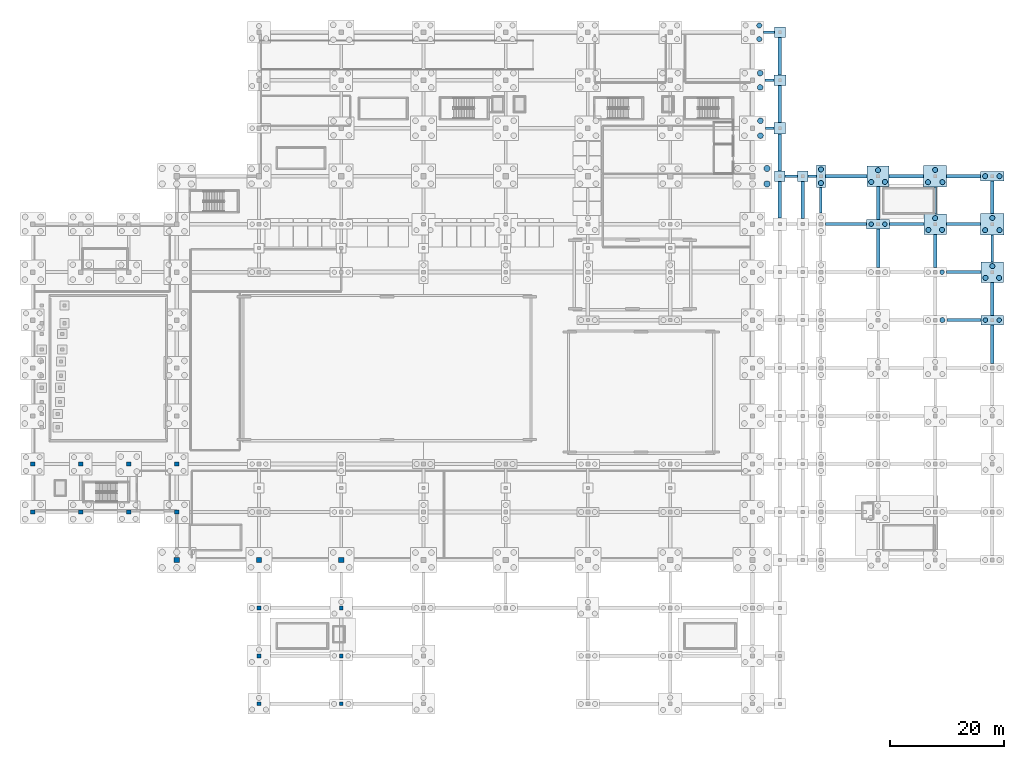
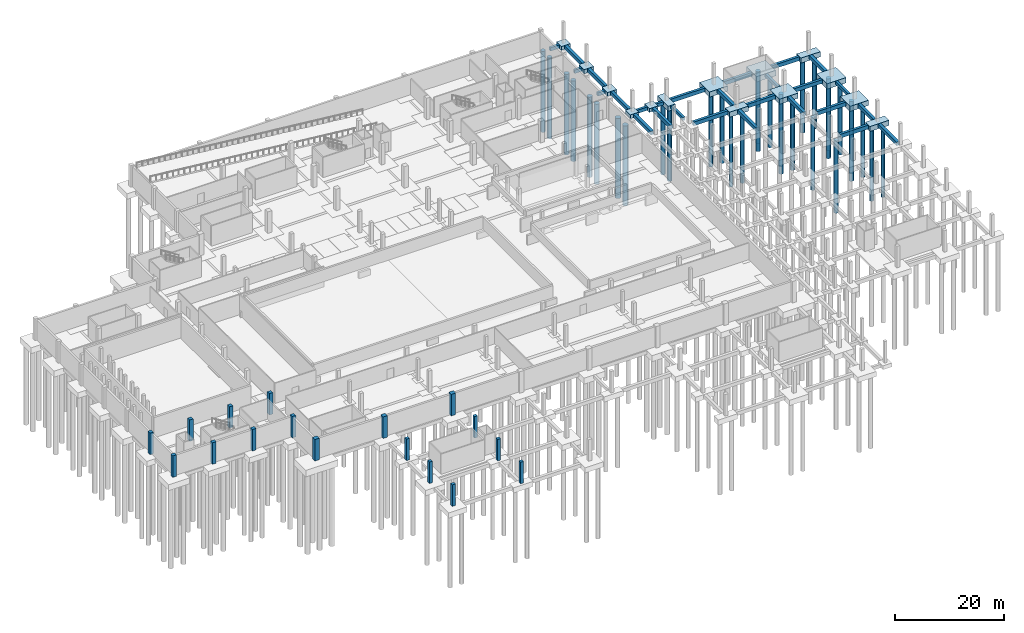
# One storey, part 9 of 26: 41 footings, 33 piles, 17 columns.
"""IFC4 building model written with IfcOpenShell, lengths in metres."""

from ifc_helpers import new_model, si_unit, direction, frame, origin, origin_2d, place, context, subcontext, project, spatial, rectangle, circle, extrude, material, material_profile, profile_set, type_object, element, save


model = new_model("IFC4")

# Units and contexts
model_context = context("Model", 3, precision=1e-05, world=origin(), true_north=direction((0.0, 1.0)))
body_context = subcontext(model_context, "Body", "Model", "MODEL_VIEW")
ifc_project = project(units=[si_unit("LENGTHUNIT", "METRE"), si_unit("AREAUNIT", "SQUARE_METRE"), si_unit("VOLUMEUNIT", "CUBIC_METRE"), si_unit("PLANEANGLEUNIT", "RADIAN"), si_unit("MASSUNIT", "GRAM", prefix="KILO"), si_unit("THERMODYNAMICTEMPERATUREUNIT", "KELVIN")], contexts=[model_context])

# Site, building, storey
site_placement = place(None, origin())
site = spatial("IfcSite", under=ifc_project, at=site_placement, CompositionType="ELEMENT")
building_placement = place(site_placement, origin())
building = spatial("IfcBuilding", under=site, at=building_placement, Name="Nduvali Passage Aquatics Centre", CompositionType="ELEMENT")
storey_placement = place(building_placement, frame((0.0, 0.0, -4.800048828125)))
storey = spatial("IfcBuildingStorey", under=building, at=storey_placement, Name="B01", CompositionType="ELEMENT", Elevation=-4.800048828125)

# Footings
ifc_material = material(Name="Concrete C40/50", Category="concrete")
footing_type_1 = type_object("IfcFootingType", Name="STR-GB-1", PredefinedType="FOOTING_BEAM", material=ifc_material)
footing_1_placement = place(storey_placement, frame((130.800048828125, 88.28759765625, -0.7998046875), z_axis=(0.0, 0.0, 1.0), x_axis=(0.0, 1.0, 0.0)))
element("IfcFooting", 1, at=footing_1_placement, inside=storey, type_object=footing_type_1, Name="Ground Beam Y-0261", PredefinedType="FOOTING_BEAM", context=body_context, shape_type="SweptSolid", body=[
    extrude(rectangle(XDim=6.425048828125, YDim=0.60009765625, at=origin_2d()), origin(), (0.0, 0.0, 1.0), 0.800048828125),
])
footing_2_placement = place(storey_placement, frame((130.800048828125, 96.550048828125, -0.7998046875), z_axis=(0.0, 0.0, 1.0), x_axis=(0.0, 1.0, 0.0)))
element("IfcFooting", 2, at=footing_2_placement, inside=storey, type_object=footing_type_1, Name="Ground Beam Y-0262", PredefinedType="FOOTING_BEAM", context=body_context, shape_type="SweptSolid", body=[
    extrude(rectangle(XDim=6.5, YDim=0.60009765625, at=origin_2d()), origin(), (0.0, 0.0, 1.0), 0.800048828125),
])
footing_3_placement = place(storey_placement, frame((130.800048828125, 105.02490234375, -0.7998046875), z_axis=(0.0, 0.0, 1.0), x_axis=(0.0, 1.0, 0.0)))
element("IfcFooting", 3, at=footing_3_placement, inside=storey, type_object=footing_type_1, Name="Ground Beam Y-0263", PredefinedType="FOOTING_BEAM", context=body_context, shape_type="SweptSolid", body=[
    extrude(rectangle(XDim=6.449951171875, YDim=0.60009765625, at=origin_2d()), origin(), (0.0, 0.0, 1.0), 0.800048828125),
])
footing_4_placement = place(storey_placement, frame((130.800048828125, 113.425048828125, -0.7998046875), z_axis=(0.0, 0.0, 1.0), x_axis=(0.0, 1.0, 0.0)))
element("IfcFooting", 4, at=footing_4_placement, inside=storey, type_object=footing_type_1, Name="Ground Beam Y-0264", PredefinedType="FOOTING_BEAM", context=body_context, shape_type="SweptSolid", body=[
    extrude(rectangle(XDim=6.550048828125, YDim=0.60009765625, at=origin_2d()), origin(), (0.0, 0.0, 1.0), 0.800048828125),
])
footing_5_placement = place(storey_placement, frame((134.800048828125, 88.25, -0.7998046875), z_axis=(0.0, 0.0, 1.0), x_axis=(0.0, 1.0, 0.0)))
element("IfcFooting", 5, at=footing_5_placement, inside=storey, type_object=footing_type_1, Name="Ground Beam Y-0272", PredefinedType="FOOTING_BEAM", context=body_context, shape_type="SweptSolid", body=[
    extrude(rectangle(XDim=6.5, YDim=0.60009765625, at=origin_2d()), origin(), (0.0, 0.0, 1.0), 0.800048828125),
])
footing_6_placement = place(storey_placement, frame((148.0, 79.78759765625, -0.7998046875), z_axis=(0.0, 0.0, 1.0), x_axis=(0.0, 1.0, 0.0)))
element("IfcFooting", 6, at=footing_6_placement, inside=storey, type_object=footing_type_1, Name="Ground Beam Y-0287", PredefinedType="FOOTING_BEAM", context=body_context, shape_type="SweptSolid", body=[
    extrude(rectangle(XDim=6.77490234375, YDim=0.60009765625, at=origin_2d()), origin(), (0.0, 0.0, 1.0), 0.800048828125),
])
for number, where, z_axis, x_axis, name in (
    (7, (148.0, 87.71240234375, -0.7998046875), (0.0, 0.0, 1.0), (0.0, 1.0, 0.0), "Ground Beam Y-0288"),
    (8, (158.0, 79.3125, -0.7998046875), (0.0, 0.0, 1.0), (0.0, 1.0, 0.0), "Ground Beam Y-0295"),
):
    element("IfcFooting", number, at=place(storey_placement, frame(where, z_axis=z_axis, x_axis=x_axis)), inside=storey, type_object=footing_type_1, Name=name, PredefinedType="FOOTING_BEAM", context=body_context, shape_type="SweptSolid", body=[
        extrude(rectangle(XDim=5.77490234375, YDim=0.60009765625, at=origin_2d()), origin(), (0.0, 0.0, 1.0), 0.800048828125),
    ])
footing_7_placement = place(storey_placement, frame((168.0, 62.987548828125, -0.7998046875), z_axis=(0.0, 0.0, 1.0), x_axis=(0.0, 1.0, 0.0)))
element("IfcFooting", 9, at=footing_7_placement, inside=storey, type_object=footing_type_1, Name="Ground Beam Y-0301", PredefinedType="FOOTING_BEAM", context=body_context, shape_type="SweptSolid", body=[
    extrude(rectangle(XDim=6.77490234375, YDim=0.60009765625, at=origin_2d()), origin(), (0.0, 0.0, 1.0), 0.800048828125),
])
footing_8_placement = place(storey_placement, frame((168.0, 70.91259765625, -0.7998046875), z_axis=(0.0, 0.0, 1.0), x_axis=(0.0, 1.0, 0.0)))
element("IfcFooting", 10, at=footing_8_placement, inside=storey, type_object=footing_type_1, Name="Ground Beam Y-0302", PredefinedType="FOOTING_BEAM", context=body_context, shape_type="SweptSolid", body=[
    extrude(rectangle(XDim=5.77490234375, YDim=0.60009765625, at=origin_2d()), origin(), (0.0, 0.0, 1.0), 0.800048828125),
])
footing_9_placement = place(storey_placement, frame((168.0, 88.737548828125, -0.7998046875), z_axis=(0.0, 0.0, 1.0), x_axis=(0.0, 1.0, 0.0)))
element("IfcFooting", 11, at=footing_9_placement, inside=storey, type_object=footing_type_1, Name="Ground Beam Y-0304", PredefinedType="FOOTING_BEAM", context=body_context, shape_type="SweptSolid", body=[
    extrude(rectangle(XDim=5.72509765625, YDim=0.60009765625, at=origin_2d()), origin(), (0.0, 0.0, 1.0), 0.800048828125),
])
footing_type_2 = type_object("IfcFootingType", Name="STR-GB-2", PredefinedType="FOOTING_BEAM", material=ifc_material)
footing_10_placement = place(storey_placement, frame((132.800048828125, 92.39990234375, -0.75), z_axis=(0.0, 0.0, 1.0), x_axis=(1.0, 0.0, 0.0)))
element("IfcFooting", 12, at=footing_10_placement, inside=storey, type_object=footing_type_2, Name="Ground Beam X-0121", PredefinedType="FOOTING_BEAM", context=body_context, shape_type="SweptSolid", body=[
    extrude(rectangle(XDim=2.199951171875, YDim=0.5, at=origin_2d()), origin(), (0.0, 0.0, 1.0), 0.75),
])
footing_11_placement = place(storey_placement, frame((136.46240234375, 92.39990234375, -0.75), z_axis=(0.0, 0.0, 1.0), x_axis=(1.0, 0.0, 0.0)))
element("IfcFooting", 13, at=footing_11_placement, inside=storey, type_object=footing_type_2, Name="Ground Beam X-0122", PredefinedType="FOOTING_BEAM", context=body_context, shape_type="SweptSolid", body=[
    extrude(rectangle(XDim=1.52490234375, YDim=0.5, at=origin_2d()), origin(), (0.0, 0.0, 1.0), 0.75),
])
for number, where, z_axis, x_axis, name in (
    (14, (129.02490234375, 100.800048828125, -0.75), (0.0, 0.0, 1.0), (1.0, 0.0, 0.0), "Ground Beam X-0132"),
    (15, (128.97509765625, 109.199951171875, -0.75), (0.0, 0.0, 1.0), (1.0, 0.0, 0.0), "Ground Beam X-0139"),
):
    element("IfcFooting", number, at=place(storey_placement, frame(where, z_axis=z_axis, x_axis=x_axis)), inside=storey, type_object=footing_type_2, Name=name, PredefinedType="FOOTING_BEAM", context=body_context, shape_type="SweptSolid", body=[
        extrude(rectangle(XDim=1.550048828125, YDim=0.5, at=origin_2d()), origin(), (0.0, 0.0, 1.0), 0.75),
    ])
footing_12_placement = place(storey_placement, frame((128.89990234375, 117.60009765625, -0.75), z_axis=(0.0, 0.0, 1.0), x_axis=(1.0, 0.0, 0.0)))
element("IfcFooting", 16, at=footing_12_placement, inside=storey, type_object=footing_type_2, Name="Ground Beam X-0146", PredefinedType="FOOTING_BEAM", context=body_context, shape_type="SweptSolid", body=[
    extrude(rectangle(XDim=1.89990234375, YDim=0.5, at=origin_2d()), origin(), (0.0, 0.0, 1.0), 0.75),
])
footing_type_3 = type_object("IfcFootingType", Name="STR-GB-4", PredefinedType="FOOTING_BEAM", material=ifc_material)
footing_13_placement = place(storey_placement, frame((163.02490234375, 67.199951171875, -0.85009765625), z_axis=(0.0, 0.0, 1.0), x_axis=(1.0, 0.0, 0.0)))
element("IfcFooting", 17, at=footing_13_placement, inside=storey, type_object=footing_type_3, Name="Ground Beam X-0081", PredefinedType="FOOTING_BEAM", context=body_context, shape_type="SweptSolid", body=[
    extrude(rectangle(XDim=5.949951171875, YDim=0.550048828125, at=origin_2d()), origin(), (0.0, 0.0, 1.0), 0.85009765625),
])
footing_14_placement = place(storey_placement, frame((163.02490234375, 75.60009765625, -0.85009765625), z_axis=(0.0, 0.0, 1.0), x_axis=(1.0, 0.0, 0.0)))
element("IfcFooting", 18, at=footing_14_placement, inside=storey, type_object=footing_type_3, Name="Ground Beam X-0097", PredefinedType="FOOTING_BEAM", context=body_context, shape_type="SweptSolid", body=[
    extrude(rectangle(XDim=6.050048828125, YDim=0.550048828125, at=origin_2d()), origin(), (0.0, 0.0, 1.0), 0.85009765625),
])
footing_15_placement = place(storey_placement, frame((142.387451171875, 84.0, -0.85009765625), z_axis=(0.0, 0.0, 1.0), x_axis=(1.0, 0.0, 0.0)))
element("IfcFooting", 19, at=footing_15_placement, inside=storey, type_object=footing_type_3, Name="Ground Beam X-0111", PredefinedType="FOOTING_BEAM", context=body_context, shape_type="SweptSolid", body=[
    extrude(rectangle(XDim=7.22509765625, YDim=0.550048828125, at=origin_2d()), origin(), (0.0, 0.0, 1.0), 0.85009765625),
])
footing_16_placement = place(storey_placement, frame((153.02490234375, 84.0, -0.85009765625), z_axis=(0.0, 0.0, 1.0), x_axis=(1.0, 0.0, 0.0)))
element("IfcFooting", 20, at=footing_16_placement, inside=storey, type_object=footing_type_3, Name="Ground Beam X-0112", PredefinedType="FOOTING_BEAM", context=body_context, shape_type="SweptSolid", body=[
    extrude(rectangle(XDim=6.050048828125, YDim=0.550048828125, at=origin_2d()), origin(), (0.0, 0.0, 1.0), 0.85009765625),
])
footing_17_placement = place(storey_placement, frame((162.96240234375, 84.0, -0.85009765625), z_axis=(0.0, 0.0, 1.0), x_axis=(1.0, 0.0, 0.0)))
element("IfcFooting", 21, at=footing_17_placement, inside=storey, type_object=footing_type_3, Name="Ground Beam X-0113", PredefinedType="FOOTING_BEAM", context=body_context, shape_type="SweptSolid", body=[
    extrude(rectangle(XDim=6.02490234375, YDim=0.550048828125, at=origin_2d()), origin(), (0.0, 0.0, 1.0), 0.85009765625),
])
footing_18_placement = place(storey_placement, frame((142.41259765625, 92.39990234375, -0.85009765625), z_axis=(0.0, 0.0, 1.0), x_axis=(1.0, 0.0, 0.0)))
element("IfcFooting", 22, at=footing_18_placement, inside=storey, type_object=footing_type_3, Name="Ground Beam X-0123", PredefinedType="FOOTING_BEAM", context=body_context, shape_type="SweptSolid", body=[
    extrude(rectangle(XDim=7.27490234375, YDim=0.550048828125, at=origin_2d()), origin(), (0.0, 0.0, 1.0), 0.85009765625),
])
footing_19_placement = place(storey_placement, frame((152.96240234375, 92.39990234375, -0.85009765625), z_axis=(0.0, 0.0, 1.0), x_axis=(1.0, 0.0, 0.0)))
element("IfcFooting", 23, at=footing_19_placement, inside=storey, type_object=footing_type_3, Name="Ground Beam X-0124", PredefinedType="FOOTING_BEAM", context=body_context, shape_type="SweptSolid", body=[
    extrude(rectangle(XDim=6.02490234375, YDim=0.550048828125, at=origin_2d()), origin(), (0.0, 0.0, 1.0), 0.85009765625),
])
footing_20_placement = place(storey_placement, frame((162.987548828125, 92.39990234375, -0.85009765625), z_axis=(0.0, 0.0, 1.0), x_axis=(1.0, 0.0, 0.0)))
element("IfcFooting", 24, at=footing_20_placement, inside=storey, type_object=footing_type_3, Name="Ground Beam X-0125", PredefinedType="FOOTING_BEAM", context=body_context, shape_type="SweptSolid", body=[
    extrude(rectangle(XDim=5.925048828125, YDim=0.550048828125, at=origin_2d()), origin(), (0.0, 0.0, 1.0), 0.85009765625),
])
footing_type_4 = type_object("IfcFootingType", Name="STR-GB-6", PredefinedType="FOOTING_BEAM", material=ifc_material)
footing_21_placement = place(storey_placement, frame((138.0, 88.199951171875, -0.69970703125), z_axis=(0.0, 0.0, 1.0), x_axis=(0.0, 1.0, 0.0)))
element("IfcFooting", 25, at=footing_21_placement, inside=storey, type_object=footing_type_4, Name="Ground Beam Y-0280", PredefinedType="FOOTING_BEAM", context=body_context, shape_type="SweptSolid", body=[
    extrude(rectangle(XDim=4.449951171875, YDim=0.449951171875, at=origin_2d()), origin(), (0.0, 0.0, 1.0), 0.699951171875),
])
for number, where, z_axis, x_axis, name in (
    (26, (158.0, 88.16259765625, -0.69970703125), (0.0, 0.0, 1.0), (0.0, 1.0, 0.0), "Ground Beam Y-0296"),
    (27, (168.0, 79.762451171875, -0.69970703125), (0.0, 0.0, 1.0), (0.0, 1.0, 0.0), "Ground Beam Y-0303"),
):
    element("IfcFooting", number, at=place(storey_placement, frame(where, z_axis=z_axis, x_axis=x_axis)), inside=storey, type_object=footing_type_4, Name=name, PredefinedType="FOOTING_BEAM", context=body_context, shape_type="SweptSolid", body=[
        extrude(rectangle(XDim=4.72509765625, YDim=0.449951171875, at=origin_2d()), origin(), (0.0, 0.0, 1.0), 0.699951171875),
    ])
footing_type_5 = type_object("IfcFootingType", Name="STR-PC-2B", PredefinedType="PILE_CAP", material=ifc_material)
footing_22_placement = place(storey_placement, frame((138.0, 92.39990234375, -1.10009765625), z_axis=(0.0, 0.0, 1.0), x_axis=(1.0, 0.0, 0.0)))
element("IfcFooting", 28, at=footing_22_placement, inside=storey, type_object=footing_type_5, Name="Pile Cap PC2B at (138.0, 92.4)", PredefinedType="PILE_CAP", context=body_context, shape_type="SweptSolid", body=[
    extrude(rectangle(XDim=1.550048828125, YDim=3.949951171875, at=origin_2d()), origin(), (0.0, 0.0, 1.0), 1.10009765625),
])
footing_type_6 = type_object("IfcFootingType", Name="STR-PC-2C", PredefinedType="PILE_CAP", material=ifc_material)
footing_23_placement = place(storey_placement, frame((168.0, 92.39990234375, -1.14990234375), z_axis=(0.0, 0.0, 1.0), x_axis=(1.0, 0.0, 0.0)))
element("IfcFooting", 29, at=footing_23_placement, inside=storey, type_object=footing_type_6, Name="Pile Cap PC2C at (168.0, 92.4)", PredefinedType="PILE_CAP", context=body_context, shape_type="SweptSolid", body=[
    extrude(rectangle(XDim=4.10009765625, YDim=1.60009765625, at=origin_2d()), origin(), (0.0, 0.0, 1.0), 1.14990234375),
])
footing_type_7 = type_object("IfcFootingType", Name="STR-PC-2D", PredefinedType="PILE_CAP", material=ifc_material)
for number, where, z_axis, x_axis, name in (
    (30, (148.0, 84.0, -1.1201171875), (0.0, 0.0, 1.0), (1.0, 0.0, 0.0), "Pile Cap PC2D at (148.0, 84.0)"),
    (31, (168.0, 67.199951171875, -1.1201171875), (0.0, 0.0, 1.0), (1.0, 0.0, 0.0), "Pile Cap PC2D at (168.0, 67.2)"),
):
    element("IfcFooting", number, at=place(storey_placement, frame(where, z_axis=z_axis, x_axis=x_axis)), inside=storey, type_object=footing_type_7, Name=name, PredefinedType="PILE_CAP", context=body_context, shape_type="SweptSolid", body=[
        extrude(rectangle(XDim=4.0, YDim=1.64990234375, at=origin_2d()), origin(), (0.0, 0.0, 1.0), 1.1201171875),
    ])
footing_type_8 = type_object("IfcFootingType", Name="STR-PC-3A", PredefinedType="PILE_CAP", material=ifc_material)
for number, where, z_axis, x_axis, name in (
    (32, (148.0, 92.39990234375, -1.14990234375), (0.0, 0.0, 1.0), (1.0, 0.0, 0.0), "Pile Cap PC3A at (148.0, 92.4)"),
    (33, (158.0, 84.0, -1.14990234375), (0.0, 0.0, 1.0), (1.0, 0.0, 0.0), "Pile Cap PC3A at (158.0, 84.0)"),
    (34, (168.0, 75.60009765625, -1.14990234375), (0.0, 0.0, 1.0), (1.0, 0.0, 0.0), "Pile Cap PC3A at (168.0, 75.6)"),
):
    element("IfcFooting", number, at=place(storey_placement, frame(where, z_axis=z_axis, x_axis=x_axis)), inside=storey, type_object=footing_type_8, Name=name, PredefinedType="PILE_CAP", context=body_context, shape_type="SweptSolid", body=[
        extrude(rectangle(XDim=3.89990234375, YDim=3.60009765625, at=origin_2d()), origin(), (0.0, 0.0, 1.0), 1.14990234375),
    ])
footing_type_9 = type_object("IfcFootingType", Name="STR-PC-3B", PredefinedType="PILE_CAP", material=ifc_material)
for number, where, z_axis, x_axis, name in (
    (35, (158.0, 92.39990234375, -1.19970703125), (0.0, 0.0, 1.0), (1.0, 0.0, 0.0), "Pile Cap PC3B at (158.0, 92.4)"),
    (36, (168.0, 84.0, -1.19970703125), (0.0, 0.0, 1.0), (1.0, 0.0, 0.0), "Pile Cap PC3B at (168.0, 84.0)"),
):
    element("IfcFooting", number, at=place(storey_placement, frame(where, z_axis=z_axis, x_axis=x_axis)), inside=storey, type_object=footing_type_9, Name=name, PredefinedType="PILE_CAP", context=body_context, shape_type="SweptSolid", body=[
        extrude(rectangle(XDim=4.050048828125, YDim=3.75, at=origin_2d()), origin(), (0.0, 0.0, 1.0), 1.199951171875),
    ])
footing_type_10 = type_object("IfcFootingType", Name="STR-PF-1", PredefinedType="PAD_FOOTING", material=ifc_material)
for number, where, z_axis, x_axis, name in (
    (37, (130.800048828125, 92.39990234375, -0.85009765625), (0.0, 0.0, 1.0), (1.0, 0.0, 0.0), "Pad Footing PF1 at (130.8, 92.4)"),
    (38, (134.800048828125, 92.39990234375, -0.85009765625), (0.0, 0.0, 1.0), (1.0, 0.0, 0.0), "Pad Footing PF1 at (134.8, 92.4)"),
):
    element("IfcFooting", number, at=place(storey_placement, frame(where, z_axis=z_axis, x_axis=x_axis)), inside=storey, type_object=footing_type_10, Name=name, PredefinedType="PAD_FOOTING", context=body_context, shape_type="SweptSolid", body=[
        extrude(rectangle(XDim=1.800048828125, YDim=1.800048828125, at=origin_2d()), origin(), (0.0, 0.0, 1.0), 0.85009765625),
    ])
footing_type_11 = type_object("IfcFootingType", Name="STR-PF-2", PredefinedType="PAD_FOOTING", material=ifc_material)
footing_24_placement = place(storey_placement, frame((130.800048828125, 100.800048828125, -0.89990234375), z_axis=(0.0, 0.0, 1.0), x_axis=(1.0, 0.0, 0.0)))
element("IfcFooting", 39, at=footing_24_placement, inside=storey, type_object=footing_type_11, Name="Pad Footing PF2 at (130.8, 100.8)", PredefinedType="PAD_FOOTING", context=body_context, shape_type="SweptSolid", body=[
    extrude(rectangle(XDim=2.0, YDim=2.0, at=origin_2d()), origin(), (0.0, 0.0, 1.0), 0.89990234375),
])
footing_type_12 = type_object("IfcFootingType", Name="STR-PF-3", PredefinedType="PAD_FOOTING", material=ifc_material)
footing_25_placement = place(storey_placement, frame((130.800048828125, 109.199951171875, -0.94970703125), z_axis=(0.0, 0.0, 1.0), x_axis=(1.0, 0.0, 0.0)))
element("IfcFooting", 40, at=footing_25_placement, inside=storey, type_object=footing_type_12, Name="Pad Footing PF3 at (130.8, 109.2)", PredefinedType="PAD_FOOTING", context=body_context, shape_type="SweptSolid", body=[
    extrude(rectangle(XDim=2.10009765625, YDim=1.89990234375, at=origin_2d()), origin(), (0.0, 0.0, 1.0), 0.949951171875),
])
footing_type_13 = type_object("IfcFootingType", Name="STR-PF-4", PredefinedType="PAD_FOOTING", material=ifc_material)
footing_26_placement = place(storey_placement, frame((130.800048828125, 117.60009765625, -0.85009765625), z_axis=(0.0, 0.0, 1.0), x_axis=(1.0, 0.0, 0.0)))
element("IfcFooting", 41, at=footing_26_placement, inside=storey, type_object=footing_type_13, Name="Pad Footing PF4 at (130.8, 117.6)", PredefinedType="PAD_FOOTING", context=body_context, shape_type="SweptSolid", body=[
    extrude(rectangle(XDim=1.89990234375, YDim=1.800048828125, at=origin_2d()), origin(), (0.0, 0.0, 1.0), 0.85009765625),
])

# Piles
ifc_material_profile_1 = material_profile(ifc_material, circle(Radius=0.5, at=origin_2d()), Name="PILE D1000")
ifc_profile_set_1 = profile_set([ifc_material_profile_1], Name="Concrete C40/50")
pile_type_1 = type_object("IfcPileType", Name="STR-PILE-D1000", PredefinedType="BORED", material=ifc_profile_set_1)
for number, where, z_axis, x_axis, name in (
    (42, (127.39990234375, 99.5, -1.25), (0.0, 0.0, -1.0), (1.0, 0.0, 0.0), "Bored Pile 140-2"),
    (43, (127.39990234375, 102.10009765625, -1.25), (0.0, 0.0, -1.0), (1.0, 0.0, 0.0), "Bored Pile 140-4"),
):
    element("IfcPile", number, at=place(storey_placement, frame(where, z_axis=z_axis, x_axis=x_axis)), inside=storey, type_object=pile_type_1, Name=name, PredefinedType="BORED", context=body_context, shape_type="SweptSolid", body=[
        extrude(circle(Radius=0.5, at=origin_2d()), origin(), (0.0, 0.0, 1.0), 17.949951171875),
    ])
for number, where, z_axis, x_axis, name in (
    (44, (127.35009765625, 107.949951171875, -1.199951171875), (0.0, 0.0, -1.0), (1.0, 0.0, 0.0), "Bored Pile 141-2"),
    (45, (127.35009765625, 110.449951171875, -1.199951171875), (0.0, 0.0, -1.0), (1.0, 0.0, 0.0), "Bored Pile 141-4"),
):
    element("IfcPile", number, at=place(storey_placement, frame(where, z_axis=z_axis, x_axis=x_axis)), inside=storey, type_object=pile_type_1, Name=name, PredefinedType="BORED", context=body_context, shape_type="SweptSolid", body=[
        extrude(circle(Radius=0.5, at=origin_2d()), origin(), (0.0, 0.0, 1.0), 18.0),
    ])
ifc_material_profile_2 = material_profile(ifc_material, circle(Radius=0.550048828125, at=origin_2d()), Name="PILE D1100")
ifc_profile_set_2 = profile_set([ifc_material_profile_2], Name="Concrete C40/50")
pile_type_2 = type_object("IfcPileType", Name="STR-PILE-D1100", PredefinedType="BORED", material=ifc_profile_set_2)
for number, where, z_axis, x_axis, name in (
    (46, (128.550048828125, 91.050048828125, -1.349853515625), (0.0, 0.0, -1.0), (1.0, 0.0, 0.0), "Bored Pile 139-3"),
    (47, (128.550048828125, 93.75, -1.349853515625), (0.0, 0.0, -1.0), (1.0, 0.0, 0.0), "Bored Pile 139-6"),
):
    element("IfcPile", number, at=place(storey_placement, frame(where, z_axis=z_axis, x_axis=x_axis)), inside=storey, type_object=pile_type_2, Name=name, PredefinedType="BORED", context=body_context, shape_type="SweptSolid", body=[
        extrude(circle(Radius=0.550048828125, at=origin_2d()), origin(), (0.0, 0.0, 1.0), 17.85009765625),
    ])
ifc_material_profile_3 = material_profile(ifc_material, circle(Radius=0.39990234375, at=origin_2d()), Name="PILE D800")
ifc_profile_set_3 = profile_set([ifc_material_profile_3], Name="Concrete C40/50")
pile_type_3 = type_object("IfcPileType", Name="STR-PILE-D800", PredefinedType="BORED", material=ifc_profile_set_3)
for number, where, z_axis, x_axis, name in (
    (48, (146.800048828125, 84.0, -1.02001953125), (0.0, 0.0, -1.0), (1.0, 0.0, 0.0), "Bored Pile 183-1"),
    (49, (149.199951171875, 84.0, -1.02001953125), (0.0, 0.0, -1.0), (1.0, 0.0, 0.0), "Bored Pile 183-2"),
    (50, (159.199951171875, 75.60009765625, -1.02001953125), (0.0, 0.0, -1.0), (1.0, 0.0, 0.0), "Bored Pile 191-2"),
    (51, (166.800048828125, 67.199951171875, -1.02001953125), (0.0, 0.0, -1.0), (1.0, 0.0, 0.0), "Bored Pile 199-1"),
    (52, (169.199951171875, 67.199951171875, -1.02001953125), (0.0, 0.0, -1.0), (1.0, 0.0, 0.0), "Bored Pile 199-2"),
):
    element("IfcPile", number, at=place(storey_placement, frame(where, z_axis=z_axis, x_axis=x_axis)), inside=storey, type_object=pile_type_3, Name=name, PredefinedType="BORED", context=body_context, shape_type="SweptSolid", body=[
        extrude(circle(Radius=0.39990234375, at=origin_2d()), origin(), (0.0, 0.0, 1.0), 16.179931640625),
    ])
ifc_material_profile_4 = material_profile(ifc_material, circle(Radius=0.449951171875, at=origin_2d()), Name="PILE D900")
ifc_profile_set_4 = profile_set([ifc_material_profile_4], Name="Concrete C40/50")
pile_type_4 = type_object("IfcPileType", Name="STR-PILE-D900", PredefinedType="BORED", material=ifc_profile_set_4)
for number, where, z_axis, x_axis, name in (
    (53, (127.199951171875, 116.39990234375, -1.099853515625), (0.0, 0.0, -1.0), (1.0, 0.0, 0.0), "Bored Pile 142-2"),
    (54, (127.199951171875, 118.800048828125, -1.099853515625), (0.0, 0.0, -1.0), (1.0, 0.0, 0.0), "Bored Pile 142-4"),
):
    element("IfcPile", number, at=place(storey_placement, frame(where, z_axis=z_axis, x_axis=x_axis)), inside=storey, type_object=pile_type_4, Name=name, PredefinedType="BORED", context=body_context, shape_type="SweptSolid", body=[
        extrude(circle(Radius=0.449951171875, at=origin_2d()), origin(), (0.0, 0.0, 1.0), 18.10009765625),
    ])
for number, where, z_axis, x_axis, name in (
    (55, (138.0, 91.199951171875, -1.0), (0.0, 0.0, -1.0), (1.0, 0.0, 0.0), "Bored Pile 175-1"),
    (56, (138.0, 93.60009765625, -1.0), (0.0, 0.0, -1.0), (1.0, 0.0, 0.0), "Bored Pile 175-2"),
):
    element("IfcPile", number, at=place(storey_placement, frame(where, z_axis=z_axis, x_axis=x_axis)), inside=storey, type_object=pile_type_4, Name=name, PredefinedType="BORED", context=body_context, shape_type="SweptSolid", body=[
        extrude(circle(Radius=0.449951171875, at=origin_2d()), origin(), (0.0, 0.0, 1.0), 16.199951171875),
    ])
for number, where, z_axis, x_axis, name in (
    (57, (146.800048828125, 91.39990234375, -1.050048828125), (0.0, 0.0, -1.0), (1.0, 0.0, 0.0), "Bored Pile 184-1"),
    (58, (149.199951171875, 91.39990234375, -1.050048828125), (0.0, 0.0, -1.0), (1.0, 0.0, 0.0), "Bored Pile 184-2"),
    (59, (148.0, 93.449951171875, -1.050048828125), (0.0, 0.0, -1.0), (1.0, 0.0, 0.0), "Bored Pile 184-3"),
    (60, (159.25, 67.199951171875, -1.050048828125), (0.0, 0.0, -1.0), (1.0, 0.0, 0.0), "Bored Pile 190-2"),
    (61, (156.800048828125, 83.0, -1.050048828125), (0.0, 0.0, -1.0), (1.0, 0.0, 0.0), "Bored Pile 192-1"),
    (62, (159.199951171875, 83.0, -1.050048828125), (0.0, 0.0, -1.0), (1.0, 0.0, 0.0), "Bored Pile 192-2"),
    (63, (158.0, 85.050048828125, -1.050048828125), (0.0, 0.0, -1.0), (1.0, 0.0, 0.0), "Bored Pile 192-3"),
):
    element("IfcPile", number, at=place(storey_placement, frame(where, z_axis=z_axis, x_axis=x_axis)), inside=storey, type_object=pile_type_4, Name=name, PredefinedType="BORED", context=body_context, shape_type="SweptSolid", body=[
        extrude(circle(Radius=0.449951171875, at=origin_2d()), origin(), (0.0, 0.0, 1.0), 16.14990234375),
    ])
for number, where, z_axis, x_axis, name in (
    (64, (156.75, 91.35009765625, -1.099853515625), (0.0, 0.0, -1.0), (1.0, 0.0, 0.0), "Bored Pile 193-1"),
    (65, (159.25, 91.35009765625, -1.099853515625), (0.0, 0.0, -1.0), (1.0, 0.0, 0.0), "Bored Pile 193-2"),
    (66, (158.0, 93.5, -1.099853515625), (0.0, 0.0, -1.0), (1.0, 0.0, 0.0), "Bored Pile 193-3"),
):
    element("IfcPile", number, at=place(storey_placement, frame(where, z_axis=z_axis, x_axis=x_axis)), inside=storey, type_object=pile_type_4, Name=name, PredefinedType="BORED", context=body_context, shape_type="SweptSolid", body=[
        extrude(circle(Radius=0.449951171875, at=origin_2d()), origin(), (0.0, 0.0, 1.0), 16.10009765625),
    ])
for number, where, z_axis, x_axis, name in (
    (67, (166.800048828125, 74.60009765625, -1.050048828125), (0.0, 0.0, -1.0), (1.0, 0.0, 0.0), "Bored Pile 200-1"),
    (68, (169.199951171875, 74.60009765625, -1.050048828125), (0.0, 0.0, -1.0), (1.0, 0.0, 0.0), "Bored Pile 200-2"),
    (69, (168.0, 76.64990234375, -1.050048828125), (0.0, 0.0, -1.0), (1.0, 0.0, 0.0), "Bored Pile 200-3"),
):
    element("IfcPile", number, at=place(storey_placement, frame(where, z_axis=z_axis, x_axis=x_axis)), inside=storey, type_object=pile_type_4, Name=name, PredefinedType="BORED", context=body_context, shape_type="SweptSolid", body=[
        extrude(circle(Radius=0.449951171875, at=origin_2d()), origin(), (0.0, 0.0, 1.0), 16.14990234375),
    ])
for number, where, z_axis, x_axis, name in (
    (70, (166.75, 82.949951171875, -1.099853515625), (0.0, 0.0, -1.0), (1.0, 0.0, 0.0), "Bored Pile 201-1"),
    (71, (169.25, 82.949951171875, -1.099853515625), (0.0, 0.0, -1.0), (1.0, 0.0, 0.0), "Bored Pile 201-2"),
    (72, (168.0, 85.10009765625, -1.099853515625), (0.0, 0.0, -1.0), (1.0, 0.0, 0.0), "Bored Pile 201-3"),
):
    element("IfcPile", number, at=place(storey_placement, frame(where, z_axis=z_axis, x_axis=x_axis)), inside=storey, type_object=pile_type_4, Name=name, PredefinedType="BORED", context=body_context, shape_type="SweptSolid", body=[
        extrude(circle(Radius=0.449951171875, at=origin_2d()), origin(), (0.0, 0.0, 1.0), 16.10009765625),
    ])
for number, where, z_axis, x_axis, name in (
    (73, (166.75, 92.39990234375, -1.050048828125), (0.0, 0.0, -1.0), (1.0, 0.0, 0.0), "Bored Pile 202-1"),
    (74, (169.25, 92.39990234375, -1.050048828125), (0.0, 0.0, -1.0), (1.0, 0.0, 0.0), "Bored Pile 202-2"),
):
    element("IfcPile", number, at=place(storey_placement, frame(where, z_axis=z_axis, x_axis=x_axis)), inside=storey, type_object=pile_type_4, Name=name, PredefinedType="BORED", context=body_context, shape_type="SweptSolid", body=[
        extrude(circle(Radius=0.449951171875, at=origin_2d()), origin(), (0.0, 0.0, 1.0), 16.14990234375),
    ])

# Columns
ifc_material_profile_5 = material_profile(ifc_material, rectangle(XDim=0.64990234375, YDim=0.64990234375, at=origin_2d()), Name="RC 650x650")
ifc_profile_set_5 = profile_set([ifc_material_profile_5], Name="Concrete C40/50")
column_type_1 = type_object("IfcColumnType", Name="STR-COL-RC650", PredefinedType="COLUMN", material=ifc_profile_set_5)
for number, where, z_axis, x_axis, name in (
    (75, (39.60009765625, 0.0, 0.0), (0.0, 0.0, 1.0), (1.0, 0.0, 0.0), "B01 Column C3 (39.6, 0.0)"),
    (76, (39.60009765625, 8.39990234375, 0.0), (0.0, 0.0, 1.0), (1.0, 0.0, 0.0), "B01 Column C3 (39.6, 8.4)"),
    (77, (39.60009765625, 16.800048828125, 0.0), (0.0, 0.0, 1.0), (1.0, 0.0, 0.0), "B01 Column C3 (39.6, 16.8)"),
    (78, (54.0, 0.0, 0.0), (0.0, 0.0, 1.0), (1.0, 0.0, 0.0), "B01 Column C3 (54.0, 0.0)"),
    (79, (54.0, 8.39990234375, 0.0), (0.0, 0.0, 1.0), (1.0, 0.0, 0.0), "B01 Column C3 (54.0, 8.4)"),
    (80, (54.0, 16.800048828125, 0.0), (0.0, 0.0, 1.0), (1.0, 0.0, 0.0), "B01 Column C3 (54.0, 16.8)"),
):
    element("IfcColumn", number, at=place(storey_placement, frame(where, z_axis=z_axis, x_axis=x_axis)), inside=storey, type_object=column_type_1, Name=name, PredefinedType="COLUMN", context=body_context, shape_type="SweptSolid", body=[
        extrude(rectangle(XDim=0.64990234375, YDim=0.64990234375, at=origin_2d()), origin(), (0.0, 0.0, 1.0), 4.800048828125),
    ])
ifc_material_profile_6 = material_profile(ifc_material, rectangle(XDim=0.75, YDim=0.75, at=origin_2d()), Name="RC 750x750")
ifc_profile_set_6 = profile_set([ifc_material_profile_6], Name="Concrete C40/50")
column_type_2 = type_object("IfcColumnType", Name="STR-COL-RC750", PredefinedType="COLUMN", material=ifc_profile_set_6)
for number, where, z_axis, x_axis, name in (
    (81, (8.39990234375, 42.0, 0.0), (0.0, 0.0, 1.0), (1.0, 0.0, 0.0), "B01 Column C2 (8.4, 42.0)"),
    (82, (16.800048828125, 42.0, 0.0), (0.0, 0.0, 1.0), (1.0, 0.0, 0.0), "B01 Column C2 (16.8, 42.0)"),
    (83, (25.199951171875, 33.60009765625, 0.0), (0.0, 0.0, 1.0), (1.0, 0.0, 0.0), "B01 Column C2 (25.2, 33.6)"),
    (84, (25.199951171875, 42.0, 0.0), (0.0, 0.0, 1.0), (1.0, 0.0, 0.0), "B01 Column C2 (25.2, 42.0)"),
):
    element("IfcColumn", number, at=place(storey_placement, frame(where, z_axis=z_axis, x_axis=x_axis)), inside=storey, type_object=column_type_2, Name=name, PredefinedType="COLUMN", context=body_context, shape_type="SweptSolid", body=[
        extrude(rectangle(XDim=0.75, YDim=0.75, at=origin_2d()), origin(), (0.0, 0.0, 1.0), 4.800048828125),
    ])
ifc_material_profile_7 = material_profile(ifc_material, rectangle(XDim=0.75, YDim=0.75, at=origin_2d()), Name="RC 750x750")
ifc_profile_set_7 = profile_set([ifc_material_profile_7], Name="Concrete C40/50")
column_type_3 = type_object("IfcColumnType", Name="STR-COL-RC750-EXT", PredefinedType="COLUMN", material=ifc_profile_set_7)
for number, where, z_axis, x_axis, name in (
    (85, (0.0, 33.60009765625, 0.0), (0.0, 0.0, 1.0), (1.0, 0.0, 0.0), "B01 Column C2E (0.0, 33.6)"),
    (86, (0.0, 42.0, 0.0), (0.0, 0.0, 1.0), (1.0, 0.0, 0.0), "B01 Column C2E (0.0, 42.0)"),
    (87, (8.39990234375, 33.60009765625, 0.0), (0.0, 0.0, 1.0), (1.0, 0.0, 0.0), "B01 Column C2E (8.4, 33.6)"),
    (88, (16.800048828125, 33.60009765625, 0.0), (0.0, 0.0, 1.0), (1.0, 0.0, 0.0), "B01 Column C2E (16.8, 33.6)"),
):
    element("IfcColumn", number, at=place(storey_placement, frame(where, z_axis=z_axis, x_axis=x_axis)), inside=storey, type_object=column_type_3, Name=name, PredefinedType="COLUMN", context=body_context, shape_type="SweptSolid", body=[
        extrude(rectangle(XDim=0.75, YDim=0.75, at=origin_2d()), origin(), (0.0, 0.0, 1.0), 4.800048828125),
    ])
ifc_material_profile_8 = material_profile(ifc_material, rectangle(XDim=0.89990234375, YDim=0.89990234375, at=origin_2d()), Name="RC 900x900")
ifc_profile_set_8 = profile_set([ifc_material_profile_8], Name="Concrete C40/50")
column_type_4 = type_object("IfcColumnType", Name="STR-COL-RC900-EXT", PredefinedType="COLUMN", material=ifc_profile_set_8)
for number, where, z_axis, x_axis, name in (
    (89, (25.199951171875, 25.199951171875, 0.0), (0.0, 0.0, 1.0), (1.0, 0.0, 0.0), "B01 Column C1E (25.2, 25.2)"),
    (90, (39.60009765625, 25.199951171875, 0.0), (0.0, 0.0, 1.0), (1.0, 0.0, 0.0), "B01 Column C1E (39.6, 25.2)"),
    (91, (54.0, 25.199951171875, 0.0), (0.0, 0.0, 1.0), (1.0, 0.0, 0.0), "B01 Column C1E (54.0, 25.2)"),
):
    element("IfcColumn", number, at=place(storey_placement, frame(where, z_axis=z_axis, x_axis=x_axis)), inside=storey, type_object=column_type_4, Name=name, PredefinedType="COLUMN", context=body_context, shape_type="SweptSolid", body=[
        extrude(rectangle(XDim=0.89990234375, YDim=0.89990234375, at=origin_2d()), origin(), (0.0, 0.0, 1.0), 4.800048828125),
    ])

save(model, "model.ifc")
